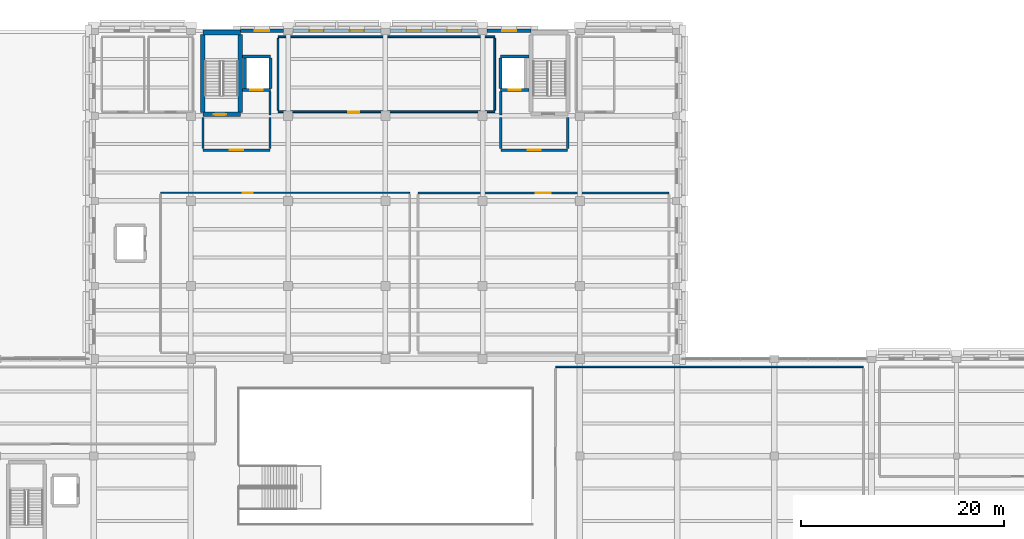
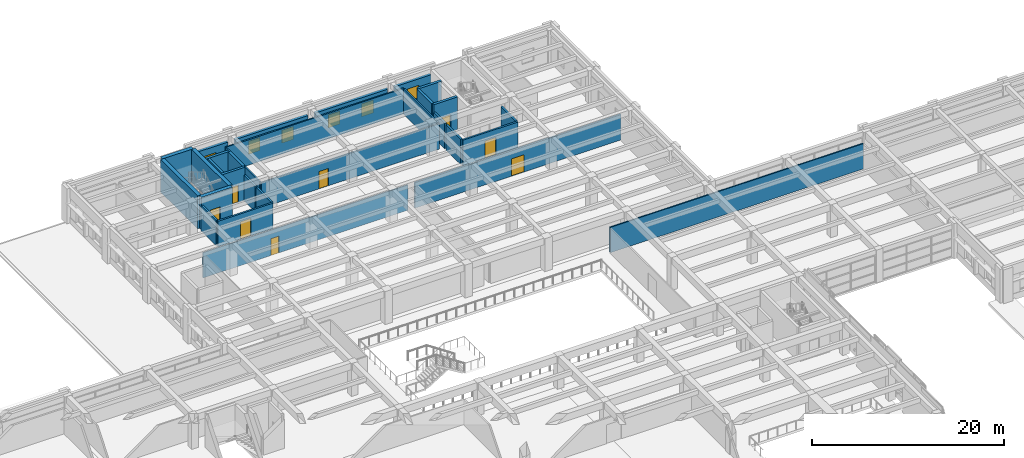
# One storey, part 34 of 49: 30 walls, 8 doors, 6 windows, 14 openings.
"""IFC4 building model written with IfcOpenShell, lengths in metres."""

from ifc_helpers import new_model, si_unit, direction, frame, frame_2d, origin, place, context, subcontext, project, spatial, rectangle, extrude, material, layer, layer_set, type_object, element, fill, save


model = new_model("IFC4")

# Units and contexts
model_context = context("Model", 3, precision=1e-05, world=origin(), true_north=direction((0.0, 1.0)))
body_context = subcontext(model_context, "Body", "Model", "MODEL_VIEW")
ifc_project = project(units=[si_unit("LENGTHUNIT", "METRE"), si_unit("AREAUNIT", "SQUARE_METRE"), si_unit("VOLUMEUNIT", "CUBIC_METRE"), si_unit("PLANEANGLEUNIT", "RADIAN"), si_unit("MASSUNIT", "GRAM", prefix="KILO")], contexts=[model_context])

# Site, building, storey
site_placement = place(None, origin())
site = spatial("IfcSite", under=ifc_project, at=site_placement, CompositionType="ELEMENT")
building_placement = place(site_placement, origin())
building = spatial("IfcBuilding", under=site, at=building_placement, Name="Bempovik Park Faculty of Sciences", CompositionType="ELEMENT")
storey_placement = place(building_placement, frame((0.0, 0.0, 5.39990234375)))
storey = spatial("IfcBuildingStorey", under=building, at=storey_placement, Name="L01", CompositionType="ELEMENT", Elevation=5.39990234375)

# Wall, opening, door
ifc_material_1 = material(Name="Concrete C40/50", Category="concrete")
ifc_layer_1 = layer(ifc_material_1, 0.449951171875)
ifc_layer_set_1 = layer_set([ifc_layer_1], Name="Concrete C40/50")
wall_type_1 = type_object("IfcWallType", Name="W-15 Wall 450mm", PredefinedType="SHEAR", material=ifc_layer_set_1)
wall_1_placement = place(storey_placement, frame((70.77490234375, 111.14990234375, 0.0), z_axis=(0.0, 0.0, 1.0), x_axis=(1.0, 0.0, 0.0)))
wall_1 = element("IfcWall", 1, at=wall_1_placement, inside=storey, type_object=wall_type_1, Name="ST-1 L01 Core Shear Wall South", PredefinedType="SHEAR", context=body_context, shape_type="SweptSolid", body=[
    extrude(rectangle(XDim=3.7001953125, YDim=0.449951171875, at=frame_2d((1.85009765625, 0.0))), origin(), (0.0, 0.0, 1.0), 4.18017578125),
])
opening_1_placement = place(wall_1_placement, frame((1.10009765625, 0.0, 0.0)))
opening_1 = element("IfcOpeningElement", 2, at=opening_1_placement, cuts=wall_1, Name="Opening D-49", PredefinedType="OPENING", context=body_context, shape_type="SweptSolid", body=[
    extrude(rectangle(XDim=1.199951171875, YDim=2.199951171875, at=frame_2d((0.60009765625, 1.10009765625))), frame((0.0, 0.23486328125, 0.0), z_axis=(0.0, -1.0, 0.0), x_axis=(1.0, 0.0, 0.0)), (0.0, 0.0, 1.0), 0.469970703125),
])
ifc_material_2 = material(Name="Painted steel S355", Category="steel")
door_type_1 = type_object("IfcDoorType", Name="D-49 Door 1200x2200", OperationType="NOTDEFINED", PredefinedType="DOOR", material=ifc_material_2)
door_1_placement = place(opening_1_placement, origin())
door_1 = element("IfcDoor", 3, at=door_1_placement, inside=storey, type_object=door_type_1, Name="ST-1 L01 Protected Stair Smoke Door", OperationType="SINGLE_SWING_LEFT", OverallHeight=2.199951171875, OverallWidth=1.199951171875, PredefinedType="DOOR", context=body_context, shape_type="SweptSolid", body=[
    extrude(rectangle(XDim=1.199951171875, YDim=2.199951171875, at=frame_2d((0.60009765625, 1.10009765625))), frame((0.0, 0.02490234375, 0.0), z_axis=(0.0, -1.0, 0.0), x_axis=(1.0, 0.0, 0.0)), (0.0, 0.0, 1.0), 0.050048828125),
])
fill(opening_1, door_1)

# Walls
for number, where, z_axis, x_axis, name in (
    (4, (70.77490234375, 111.35009765625, 0.0), (0.0, 0.0, 1.0), (0.0, 1.0, 0.0), "ST-1 L01 Core Shear Wall West"),
    (5, (74.47509765625, 111.35009765625, 0.0), (0.0, 0.0, 1.0), (0.0, 1.0, 0.0), "ST-1 L01 Core Shear Wall East"),
):
    element("IfcWall", number, at=place(storey_placement, frame(where, z_axis=z_axis, x_axis=x_axis)), inside=storey, type_object=wall_type_1, Name=name, PredefinedType="SHEAR", context=body_context, shape_type="SweptSolid", body=[
        extrude(rectangle(XDim=7.6748046875, YDim=0.449951171875, at=frame_2d((3.83740234375, 0.0))), origin(), (0.0, 0.0, 1.0), 4.18017578125),
    ])
wall_2_placement = place(storey_placement, frame((70.77490234375, 119.22509765625, 0.0), z_axis=(0.0, 0.0, 1.0), x_axis=(1.0, 0.0, 0.0)))
element("IfcWall", 6, at=wall_2_placement, inside=storey, type_object=wall_type_1, Name="ST-1 L01 Core Shear Wall North", PredefinedType="SHEAR", context=body_context, shape_type="SweptSolid", body=[
    extrude(rectangle(XDim=3.7001953125, YDim=0.449951171875, at=frame_2d((1.85009765625, 0.0))), origin(), (0.0, 0.0, 1.0), 4.18017578125),
])

# Wall, opening, door
ifc_material_3 = material(Name="Gypsum acoustic stud assembly")
ifc_layer_2 = layer(ifc_material_3, 0.1201171875)
ifc_layer_set_2 = layer_set([ifc_layer_2], Name="Gypsum acoustic stud assembly")
wall_type_2 = type_object("IfcWallType", Name="W-17 Wall 120mm", PredefinedType="PARTITIONING", material=ifc_layer_set_2)
wall_3_placement = place(storey_placement, frame((66.60009765625, 103.39990234375, 0.0), z_axis=(0.0, 0.0, 1.0), x_axis=(1.0, 0.0, 0.0)))
wall_3 = element("IfcWall", 7, at=wall_3_placement, inside=storey, type_object=wall_type_2, Name="L01 Chemistry Academic Staff Offices Partition North", PredefinedType="PARTITIONING", context=body_context, shape_type="SweptSolid", body=[
    extrude(rectangle(XDim=24.599853515625, YDim=0.1201171875, at=frame_2d((12.2998046875, 0.0))), origin(), (0.0, 0.0, 1.0), 3.22021484375),
])
opening_2_placement = place(wall_3_placement, frame((8.135009765625, 0.0, 0.0)))
opening_2 = element("IfcOpeningElement", 8, at=opening_2_placement, cuts=wall_3, Name="Opening D-47", PredefinedType="OPENING", context=body_context, shape_type="SweptSolid", body=[
    extrude(rectangle(XDim=0.949951171875, YDim=2.14990234375, at=frame_2d((0.47509765625, 1.074951171875))), frame((0.0, 0.070068359375, 0.0), z_axis=(0.0, -1.0, 0.0), x_axis=(1.0, 0.0, 0.0)), (0.0, 0.0, 1.0), 0.14013671875),
])
ifc_material_4 = material(Name="West African hardwood finish", Category="wood")
door_type_2 = type_object("IfcDoorType", Name="D-47 Door 950x2150", OperationType="NOTDEFINED", PredefinedType="DOOR", material=ifc_material_4)
door_2_placement = place(opening_2_placement, origin())
door_2 = element("IfcDoor", 9, at=door_2_placement, inside=storey, type_object=door_type_2, Name="L01 Chemistry Academic Staff Offices Door", OperationType="SINGLE_SWING_LEFT", OverallHeight=2.14990234375, OverallWidth=0.949951171875, PredefinedType="DOOR", context=body_context, shape_type="SweptSolid", body=[
    extrude(rectangle(XDim=0.949951171875, YDim=2.14990234375, at=frame_2d((0.47509765625, 1.074951171875))), frame((0.0, 0.02490234375, 0.0), z_axis=(0.0, -1.0, 0.0), x_axis=(1.0, 0.0, 0.0)), (0.0, 0.0, 1.0), 0.050048828125),
])
fill(opening_2, door_2)

ifc_layer_3 = layer(ifc_material_1, 0.300048828125)
ifc_layer_set_3 = layer_set([ifc_layer_3], Name="Concrete C40/50")
wall_type_3 = type_object("IfcWallType", Name="W-31 Wall 300mm", PredefinedType="SHEAR", material=ifc_layer_set_3)
wall_4_placement = place(storey_placement, frame((74.699951171875, 113.550048828125, 0.0), z_axis=(0.0, 0.0, 1.0), x_axis=(1.0, 0.0, 0.0)))
wall_4 = element("IfcWall", 10, at=wall_4_placement, inside=storey, type_object=wall_type_3, Name="Lift LF-1 L01 Shaft Wall South", PredefinedType="SHEAR", context=body_context, shape_type="SweptSolid", body=[
    extrude(rectangle(XDim=2.75, YDim=0.300048828125, at=frame_2d((1.375, 0.0))), origin(), (0.0, 0.0, 1.0), 4.18017578125),
])
opening_3_placement = place(wall_4_placement, frame((0.77490234375, 0.0, 0.0)))
opening_3 = element("IfcOpeningElement", 11, at=opening_3_placement, cuts=wall_4, Name="Opening LD-01", PredefinedType="OPENING", context=body_context, shape_type="SweptSolid", body=[
    extrude(rectangle(XDim=1.199951171875, YDim=2.199951171875, at=frame_2d((0.60009765625, 1.10009765625))), frame((0.0, 0.16015625, 0.0), z_axis=(0.0, -1.0, 0.0), x_axis=(1.0, 0.0, 0.0)), (0.0, 0.0, 1.0), 0.320068359375),
])
door_type_3 = type_object("IfcDoorType", Name="LD-01 Door 1200x2200", OperationType="NOTDEFINED", PredefinedType="DOOR", material=ifc_material_2)
door_3_placement = place(opening_3_placement, origin())
door_3 = element("IfcDoor", 12, at=door_3_placement, inside=storey, type_object=door_type_3, Name="Lift LF-1 L01 Sliding Landing Door", OperationType="SLIDING_TO_LEFT", OverallHeight=2.199951171875, OverallWidth=1.199951171875, PredefinedType="DOOR", context=body_context, shape_type="SweptSolid", body=[
    extrude(rectangle(XDim=1.199951171875, YDim=2.199951171875, at=frame_2d((0.60009765625, 1.10009765625))), frame((0.0, 0.02490234375, 0.0), z_axis=(0.0, -1.0, 0.0), x_axis=(1.0, 0.0, 0.0)), (0.0, 0.0, 1.0), 0.050048828125),
])
fill(opening_3, door_3)

# Walls
wall_5_placement = place(storey_placement, frame((74.699951171875, 116.85009765625, 0.0), z_axis=(0.0, 0.0, 1.0), x_axis=(1.0, 0.0, 0.0)))
element("IfcWall", 13, at=wall_5_placement, inside=storey, type_object=wall_type_3, Name="Lift LF-1 L01 Shaft Wall North", PredefinedType="SHEAR", context=body_context, shape_type="SweptSolid", body=[
    extrude(rectangle(XDim=2.75, YDim=0.300048828125, at=frame_2d((1.375, 0.0))), origin(), (0.0, 0.0, 1.0), 4.18017578125),
])
for number, where, z_axis, x_axis, name in (
    (14, (74.949951171875, 113.699951171875, 0.0), (0.0, 0.0, 1.0), (0.0, 1.0, 0.0), "Lift LF-1 L01 Shaft Wall West"),
    (15, (77.449951171875, 113.699951171875, 0.0), (0.0, 0.0, 1.0), (0.0, 1.0, 0.0), "Lift LF-1 L01 Shaft Wall East"),
):
    element("IfcWall", number, at=place(storey_placement, frame(where, z_axis=z_axis, x_axis=x_axis)), inside=storey, type_object=wall_type_3, Name=name, PredefinedType="SHEAR", context=body_context, shape_type="SweptSolid", body=[
        extrude(rectangle(XDim=3.0, YDim=0.300048828125, at=frame_2d((1.5, 0.0))), origin(), (0.0, 0.0, 1.0), 4.18017578125),
    ])

# Wall, opening, door
wall_6_placement = place(storey_placement, frame((100.14990234375, 113.550048828125, 0.0), z_axis=(0.0, 0.0, 1.0), x_axis=(1.0, 0.0, 0.0)))
wall_6 = element("IfcWall", 16, at=wall_6_placement, inside=storey, type_object=wall_type_3, Name="Lift LF-2 L01 Shaft Wall South", PredefinedType="SHEAR", context=body_context, shape_type="SweptSolid", body=[
    extrude(rectangle(XDim=2.8251953125, YDim=0.300048828125, at=frame_2d((1.41259765625, 0.0))), origin(), (0.0, 0.0, 1.0), 4.18017578125),
])
opening_4_placement = place(wall_6_placement, frame((0.8125, 0.0, 0.0)))
opening_4 = element("IfcOpeningElement", 17, at=opening_4_placement, cuts=wall_6, Name="Opening LD-01", PredefinedType="OPENING", context=body_context, shape_type="SweptSolid", body=[
    extrude(rectangle(XDim=1.199951171875, YDim=2.199951171875, at=frame_2d((0.60009765625, 1.10009765625))), frame((0.0, 0.16015625, 0.0), z_axis=(0.0, -1.0, 0.0), x_axis=(1.0, 0.0, 0.0)), (0.0, 0.0, 1.0), 0.320068359375),
])
door_4_placement = place(opening_4_placement, origin())
door_4 = element("IfcDoor", 18, at=door_4_placement, inside=storey, type_object=door_type_3, Name="Lift LF-2 L01 Sliding Landing Door", OperationType="SLIDING_TO_LEFT", OverallHeight=2.199951171875, OverallWidth=1.199951171875, PredefinedType="DOOR", context=body_context, shape_type="SweptSolid", body=[
    extrude(rectangle(XDim=1.199951171875, YDim=2.199951171875, at=frame_2d((0.60009765625, 1.10009765625))), frame((0.0, 0.02490234375, 0.0), z_axis=(0.0, -1.0, 0.0), x_axis=(1.0, 0.0, 0.0)), (0.0, 0.0, 1.0), 0.050048828125),
])
fill(opening_4, door_4)

# Walls
wall_7_placement = place(storey_placement, frame((100.14990234375, 116.85009765625, 0.0), z_axis=(0.0, 0.0, 1.0), x_axis=(1.0, 0.0, 0.0)))
element("IfcWall", 19, at=wall_7_placement, inside=storey, type_object=wall_type_3, Name="Lift LF-2 L01 Shaft Wall North", PredefinedType="SHEAR", context=body_context, shape_type="SweptSolid", body=[
    extrude(rectangle(XDim=2.8251953125, YDim=0.300048828125, at=frame_2d((1.41259765625, 0.0))), origin(), (0.0, 0.0, 1.0), 4.18017578125),
])
wall_8_placement = place(storey_placement, frame((100.14990234375, 113.699951171875, 0.0), z_axis=(0.0, 0.0, 1.0), x_axis=(0.0, 1.0, 0.0)))
element("IfcWall", 20, at=wall_8_placement, inside=storey, type_object=wall_type_3, Name="Lift LF-2 L01 Shaft Wall West", PredefinedType="SHEAR", context=body_context, shape_type="SweptSolid", body=[
    extrude(rectangle(XDim=3.0, YDim=0.300048828125, at=frame_2d((1.5, 0.0))), origin(), (0.0, 0.0, 1.0), 4.18017578125),
])

# Wall, opening, door
ifc_material_5 = material(Name="Concrete C35/45", Category="concrete")
ifc_layer_4 = layer(ifc_material_5, 0.219970703125)
ifc_layer_set_4 = layer_set([ifc_layer_4], Name="Concrete C35/45")
wall_type_4 = type_object("IfcWallType", Name="W-38 Wall 220mm", PredefinedType="PARTITIONING", material=ifc_layer_set_4)
wall_9_placement = place(storey_placement, frame((70.800048828125, 107.60009765625, 0.0), z_axis=(0.0, 0.0, 1.0), x_axis=(1.0, 0.0, 0.0)))
wall_9 = element("IfcWall", 21, at=wall_9_placement, inside=storey, type_object=wall_type_4, Name="L01 Firefighting Lift Lobby West Partition South", PredefinedType="PARTITIONING", context=body_context, shape_type="SweptSolid", body=[
    extrude(rectangle(XDim=6.599853515625, YDim=0.219970703125, at=frame_2d((3.2998046875, 0.0))), origin(), (0.0, 0.0, 1.0), 3.22021484375),
])
opening_5_placement = place(wall_9_placement, frame((2.64990234375, 0.0, 0.0)))
opening_5 = element("IfcOpeningElement", 22, at=opening_5_placement, cuts=wall_9, Name="Opening D-38", PredefinedType="OPENING", context=body_context, shape_type="SweptSolid", body=[
    extrude(rectangle(XDim=1.300048828125, YDim=2.199951171875, at=frame_2d((0.64990234375, 1.10009765625))), frame((0.0, 0.1201171875, 0.0), z_axis=(0.0, -1.0, 0.0), x_axis=(1.0, 0.0, 0.0)), (0.0, 0.0, 1.0), 0.239990234375),
])
door_type_4 = type_object("IfcDoorType", Name="D-38 Door 1300x2200", OperationType="NOTDEFINED", PredefinedType="DOOR", material=ifc_material_2)
door_5_placement = place(opening_5_placement, origin())
door_5 = element("IfcDoor", 23, at=door_5_placement, inside=storey, type_object=door_type_4, Name="L01 Firefighting Lift Lobby West Door", OperationType="SINGLE_SWING_RIGHT", OverallHeight=2.199951171875, OverallWidth=1.300048828125, PredefinedType="DOOR", context=body_context, shape_type="SweptSolid", body=[
    extrude(rectangle(XDim=1.300048828125, YDim=2.199951171875, at=frame_2d((0.64990234375, 1.10009765625))), frame((0.0, 0.02490234375, 0.0), z_axis=(0.0, -1.0, 0.0), x_axis=(1.0, 0.0, 0.0)), (0.0, 0.0, 1.0), 0.050048828125),
])
fill(opening_5, door_5)

# Walls
wall_10_placement = place(storey_placement, frame((77.39990234375, 111.080078125, 0.0), z_axis=(0.0, 0.0, 1.0), x_axis=(0.0, 1.0, 0.0)))
element("IfcWall", 24, at=wall_10_placement, inside=storey, type_object=wall_type_4, Name="L01 Firefighting Lobby West Lift Link Wall", PredefinedType="PARTITIONING", context=body_context, shape_type="SweptSolid", body=[
    extrude(rectangle(XDim=2.31982421875, YDim=0.219970703125, at=frame_2d((1.159912109375, 0.0))), origin(), (0.0, 0.0, 1.0), 3.22021484375),
])
for number, where, z_axis, x_axis, name in (
    (25, (70.800048828125, 107.760009765625, 0.0), (0.0, 0.0, 1.0), (0.0, 1.0, 0.0), "L01 Firefighting Lift Lobby West Partition West"),
    (26, (77.39990234375, 107.760009765625, 0.0), (0.0, 0.0, 1.0), (0.0, 1.0, 0.0), "L01 Firefighting Lift Lobby West Partition East"),
):
    element("IfcWall", number, at=place(storey_placement, frame(where, z_axis=z_axis, x_axis=x_axis)), inside=storey, type_object=wall_type_4, Name=name, PredefinedType="PARTITIONING", context=body_context, shape_type="SweptSolid", body=[
        extrude(rectangle(XDim=3.080078125, YDim=0.219970703125, at=frame_2d((1.5400390625, 0.0))), origin(), (0.0, 0.0, 1.0), 3.22021484375),
    ])

# Wall, opening, door
wall_11_placement = place(storey_placement, frame((100.199951171875, 107.60009765625, 0.0), z_axis=(0.0, 0.0, 1.0), x_axis=(1.0, 0.0, 0.0)))
wall_11 = element("IfcWall", 27, at=wall_11_placement, inside=storey, type_object=wall_type_4, Name="L01 Firefighting Lift Lobby East Partition South", PredefinedType="PARTITIONING", context=body_context, shape_type="SweptSolid", body=[
    extrude(rectangle(XDim=6.60009765625, YDim=0.219970703125, at=frame_2d((3.300048828125, 0.0))), origin(), (0.0, 0.0, 1.0), 3.22021484375),
])
opening_6_placement = place(wall_11_placement, frame((2.64990234375, 0.0, 0.0)))
opening_6 = element("IfcOpeningElement", 28, at=opening_6_placement, cuts=wall_11, Name="Opening D-38", PredefinedType="OPENING", context=body_context, shape_type="SweptSolid", body=[
    extrude(rectangle(XDim=1.300048828125, YDim=2.199951171875, at=frame_2d((0.64990234375, 1.10009765625))), frame((0.0, 0.1201171875, 0.0), z_axis=(0.0, -1.0, 0.0), x_axis=(1.0, 0.0, 0.0)), (0.0, 0.0, 1.0), 0.239990234375),
])
door_6_placement = place(opening_6_placement, origin())
door_6 = element("IfcDoor", 29, at=door_6_placement, inside=storey, type_object=door_type_4, Name="L01 Firefighting Lift Lobby East Door", OperationType="SINGLE_SWING_LEFT", OverallHeight=2.199951171875, OverallWidth=1.300048828125, PredefinedType="DOOR", context=body_context, shape_type="SweptSolid", body=[
    extrude(rectangle(XDim=1.300048828125, YDim=2.199951171875, at=frame_2d((0.64990234375, 1.10009765625))), frame((0.0, 0.02490234375, 0.0), z_axis=(0.0, -1.0, 0.0), x_axis=(1.0, 0.0, 0.0)), (0.0, 0.0, 1.0), 0.050048828125),
])
fill(opening_6, door_6)

# Walls
wall_12_placement = place(storey_placement, frame((100.199951171875, 111.080078125, 0.0), z_axis=(0.0, 0.0, 1.0), x_axis=(0.0, 1.0, 0.0)))
element("IfcWall", 30, at=wall_12_placement, inside=storey, type_object=wall_type_4, Name="L01 Firefighting Lobby East Lift Link Wall", PredefinedType="PARTITIONING", context=body_context, shape_type="SweptSolid", body=[
    extrude(rectangle(XDim=2.31982421875, YDim=0.219970703125, at=frame_2d((1.159912109375, 0.0))), origin(), (0.0, 0.0, 1.0), 3.22021484375),
])
for number, where, z_axis, x_axis, name in (
    (31, (100.199951171875, 107.760009765625, 0.0), (0.0, 0.0, 1.0), (0.0, 1.0, 0.0), "L01 Firefighting Lift Lobby East Partition West"),
    (32, (106.800048828125, 107.760009765625, 0.0), (0.0, 0.0, 1.0), (0.0, 1.0, 0.0), "L01 Firefighting Lift Lobby East Partition East"),
):
    element("IfcWall", number, at=place(storey_placement, frame(where, z_axis=z_axis, x_axis=x_axis)), inside=storey, type_object=wall_type_4, Name=name, PredefinedType="PARTITIONING", context=body_context, shape_type="SweptSolid", body=[
        extrude(rectangle(XDim=3.080078125, YDim=0.219970703125, at=frame_2d((1.5400390625, 0.0))), origin(), (0.0, 0.0, 1.0), 3.22021484375),
    ])
ifc_layer_5 = layer(ifc_material_3, 0.14990234375)
ifc_layer_set_5 = layer_set([ifc_layer_5], Name="Gypsum acoustic stud assembly")
wall_type_5 = type_object("IfcWallType", Name="W-42 Wall 150mm", PredefinedType="PARTITIONING", material=ifc_layer_set_5)
wall_13_placement = place(storey_placement, frame((105.60009765625, 86.199951171875, 0.0), z_axis=(0.0, 0.0, 1.0), x_axis=(1.0, 0.0, 0.0)))
element("IfcWall", 33, at=wall_13_placement, inside=storey, type_object=wall_type_5, Name="L01 Atrium Concourse Study Gallery East Partition North", PredefinedType="PARTITIONING", context=body_context, shape_type="SweptSolid", body=[
    extrude(rectangle(XDim=30.39990234375, YDim=0.14990234375, at=frame_2d((15.199951171875, 0.0))), origin(), (0.0, 0.0, 1.0), 3.22021484375),
])

# Wall, opening, door
ifc_layer_6 = layer(ifc_material_5, 0.169921875)
ifc_layer_set_6 = layer_set([ifc_layer_6], Name="Concrete C35/45")
wall_type_6 = type_object("IfcWallType", Name="W-50 Wall 170mm", PredefinedType="PARTITIONING", material=ifc_layer_set_6)
wall_14_placement = place(storey_placement, frame((78.199951171875, 111.39990234375, 0.0), z_axis=(0.0, 0.0, 1.0), x_axis=(1.0, 0.0, 0.0)))
wall_14 = element("IfcWall", 34, at=wall_14_placement, inside=storey, type_object=wall_type_6, Name="L01 Chemical Reagent Preparation Room Partition South", PredefinedType="PARTITIONING", context=body_context, shape_type="SweptSolid", body=[
    extrude(rectangle(XDim=21.400146484375, YDim=0.169921875, at=frame_2d((10.7001953125, 0.0))), origin(), (0.0, 0.0, 1.0), 3.22021484375),
])
opening_7_placement = place(wall_14_placement, frame((6.93994140625, 0.0, 0.0)))
opening_7 = element("IfcOpeningElement", 35, at=opening_7_placement, cuts=wall_14, Name="Opening D-65", PredefinedType="OPENING", context=body_context, shape_type="SweptSolid", body=[
    extrude(rectangle(XDim=1.10009765625, YDim=2.199951171875, at=frame_2d((0.550048828125, 1.10009765625))), frame((0.0, 0.094970703125, 0.0), z_axis=(0.0, -1.0, 0.0), x_axis=(1.0, 0.0, 0.0)), (0.0, 0.0, 1.0), 0.18994140625),
])
door_type_5 = type_object("IfcDoorType", Name="D-65 Door 1100x2200", OperationType="NOTDEFINED", PredefinedType="DOOR", material=ifc_material_4)
door_7_placement = place(opening_7_placement, origin())
door_7 = element("IfcDoor", 36, at=door_7_placement, inside=storey, type_object=door_type_5, Name="L01 Chemical Reagent Preparation Room Door", OperationType="SINGLE_SWING_LEFT", OverallHeight=2.199951171875, OverallWidth=1.10009765625, PredefinedType="DOOR", context=body_context, shape_type="SweptSolid", body=[
    extrude(rectangle(XDim=1.10009765625, YDim=2.199951171875, at=frame_2d((0.550048828125, 1.10009765625))), frame((0.0, 0.02490234375, 0.0), z_axis=(0.0, -1.0, 0.0), x_axis=(1.0, 0.0, 0.0)), (0.0, 0.0, 1.0), 0.050048828125),
])
fill(opening_7, door_7)

# Walls
wall_15_placement = place(storey_placement, frame((78.199951171875, 118.800048828125, 0.0), z_axis=(0.0, 0.0, 1.0), x_axis=(1.0, 0.0, 0.0)))
element("IfcWall", 37, at=wall_15_placement, inside=storey, type_object=wall_type_6, Name="L01 Chemical Reagent Preparation Room Partition North", PredefinedType="PARTITIONING", context=body_context, shape_type="SweptSolid", body=[
    extrude(rectangle(XDim=21.400146484375, YDim=0.169921875, at=frame_2d((10.7001953125, 0.0))), origin(), (0.0, 0.0, 1.0), 3.22021484375),
])
for number, where, z_axis, x_axis, name in (
    (38, (78.199951171875, 111.56005859375, 0.0), (0.0, 0.0, 1.0), (0.0, 1.0, 0.0), "L01 Chemical Reagent Preparation Room Partition West"),
    (39, (99.60009765625, 111.56005859375, 0.0), (0.0, 0.0, 1.0), (0.0, 1.0, 0.0), "L01 Chemical Reagent Preparation Room Partition East"),
):
    element("IfcWall", number, at=place(storey_placement, frame(where, z_axis=z_axis, x_axis=x_axis)), inside=storey, type_object=wall_type_6, Name=name, PredefinedType="PARTITIONING", context=body_context, shape_type="SweptSolid", body=[
        extrude(rectangle(XDim=7.079833984375, YDim=0.169921875, at=frame_2d((3.5400390625, 0.0))), origin(), (0.0, 0.0, 1.0), 3.22021484375),
    ])

# Wall, opening, window
ifc_material_6 = material(Name="Precast concrete C40/50", Category="concrete")
ifc_layer_7 = layer(ifc_material_6, 0.320068359375)
ifc_layer_set_7 = layer_set([ifc_layer_7], Name="Precast concrete C40/50")
wall_type_7 = type_object("IfcWallType", Name="W-56 Wall 320mm", PredefinedType="SOLIDWALL", material=ifc_layer_set_7)
wall_16_placement = place(storey_placement, frame((74.47607421875, 119.39990234375, 0.0), z_axis=(0.0, 0.0, 1.0), x_axis=(1.0, 0.0, 0.0)))
wall_16 = element("IfcWall", 40, at=wall_16_placement, inside=storey, type_object=wall_type_7, Name="L01 Classical Precast Facade Wall EW-L01-6679", PredefinedType="SOLIDWALL", context=body_context, shape_type="SweptSolid", body=[
    extrude(rectangle(XDim=4.27197265625, YDim=0.320068359375, at=frame_2d((2.135986328125, 0.0))), origin(), (0.0, 0.0, 1.0), 3.380126953125),
])
opening_8_placement = place(wall_16_placement, frame((1.43603515625, 0.0, 0.89990234375)))
opening_8 = element("IfcOpeningElement", 41, at=opening_8_placement, cuts=wall_16, Name="Opening WN-84", PredefinedType="OPENING", context=body_context, shape_type="SweptSolid", body=[
    extrude(rectangle(XDim=1.39990234375, YDim=1.64990234375, at=frame_2d((0.699951171875, 0.824951171875))), frame((0.0, 0.169921875, 0.0), z_axis=(0.0, -1.0, 0.0), x_axis=(1.0, 0.0, 0.0)), (0.0, 0.0, 1.0), 0.340087890625),
])
ifc_material_7 = material(Name="Tempered laminated low-E glass", Category="glass")
window_type = type_object("IfcWindowType", Name="WN-84 Window 1400x1650", PartitioningType="SINGLE_PANEL", PredefinedType="WINDOW", material=ifc_material_7)
window_1_placement = place(opening_8_placement, origin())
window_1 = element("IfcWindow", 42, at=window_1_placement, inside=storey, type_object=window_type, Name="L01 Stairwell Classical Lancet Window EW-L01-6679", OverallHeight=1.64990234375, OverallWidth=1.39990234375, PartitioningType="SINGLE_PANEL", PredefinedType="WINDOW", context=body_context, shape_type="SweptSolid", body=[
    extrude(rectangle(XDim=1.39990234375, YDim=1.64990234375, at=frame_2d((0.699951171875, 0.824951171875))), frame((0.0, 0.030029296875, 0.0), z_axis=(0.0, -1.0, 0.0), x_axis=(1.0, 0.0, 0.0)), (0.0, 0.0, 1.0), 0.06005859375),
])
fill(opening_8, window_1)

# Wall, openings, windows
wall_17_placement = place(storey_placement, frame((79.652099609375, 119.39990234375, 0.0), z_axis=(0.0, 0.0, 1.0), x_axis=(1.0, 0.0, 0.0)))
wall_17 = element("IfcWall", 43, at=wall_17_placement, inside=storey, type_object=wall_type_7, Name="L01 Classical Precast Facade Wall EW-L01-6685", PredefinedType="SOLIDWALL", context=body_context, shape_type="SweptSolid", body=[
    extrude(rectangle(XDim=8.69580078125, YDim=0.320068359375, at=frame_2d((4.347900390625, 0.0))), origin(), (0.0, 0.0, 1.0), 3.380126953125),
])
opening_9_placement = place(wall_17_placement, frame((1.64794921875, 0.0, 0.85009765625)))
opening_9 = element("IfcOpeningElement", 44, at=opening_9_placement, cuts=wall_17, Name="Opening WN-84", PredefinedType="OPENING", context=body_context, shape_type="SweptSolid", body=[
    extrude(rectangle(XDim=1.39990234375, YDim=1.64990234375, at=frame_2d((0.699951171875, 0.824951171875))), frame((0.0, 0.169921875, 0.0), z_axis=(0.0, -1.0, 0.0), x_axis=(1.0, 0.0, 0.0)), (0.0, 0.0, 1.0), 0.340087890625),
])
opening_10_placement = place(wall_17_placement, frame((5.648193359375, 0.0, 0.85009765625)))
opening_10 = element("IfcOpeningElement", 45, at=opening_10_placement, cuts=wall_17, Name="Opening WN-84", PredefinedType="OPENING", context=body_context, shape_type="SweptSolid", body=[
    extrude(rectangle(XDim=1.39990234375, YDim=1.64990234375, at=frame_2d((0.699951171875, 0.824951171875))), frame((0.0, 0.169921875, 0.0), z_axis=(0.0, -1.0, 0.0), x_axis=(1.0, 0.0, 0.0)), (0.0, 0.0, 1.0), 0.340087890625),
])
window_2_placement = place(opening_9_placement, origin())
window_2 = element("IfcWindow", 46, at=window_2_placement, inside=storey, type_object=window_type, Name="L01 Window EW-L01-6685-1", OverallHeight=1.64990234375, OverallWidth=1.39990234375, PartitioningType="SINGLE_PANEL", PredefinedType="WINDOW", context=body_context, shape_type="SweptSolid", body=[
    extrude(rectangle(XDim=1.39990234375, YDim=1.64990234375, at=frame_2d((0.699951171875, 0.824951171875))), frame((0.0, 0.030029296875, 0.0), z_axis=(0.0, -1.0, 0.0), x_axis=(1.0, 0.0, 0.0)), (0.0, 0.0, 1.0), 0.06005859375),
])
fill(opening_9, window_2)
window_3_placement = place(opening_10_placement, origin())
window_3 = element("IfcWindow", 47, at=window_3_placement, inside=storey, type_object=window_type, Name="L01 Window EW-L01-6685-2", OverallHeight=1.64990234375, OverallWidth=1.39990234375, PartitioningType="SINGLE_PANEL", PredefinedType="WINDOW", context=body_context, shape_type="SweptSolid", body=[
    extrude(rectangle(XDim=1.39990234375, YDim=1.64990234375, at=frame_2d((0.699951171875, 0.824951171875))), frame((0.0, 0.030029296875, 0.0), z_axis=(0.0, -1.0, 0.0), x_axis=(1.0, 0.0, 0.0)), (0.0, 0.0, 1.0), 0.06005859375),
])
fill(opening_10, window_3)

wall_18_placement = place(storey_placement, frame((89.251953125, 119.39990234375, 0.0), z_axis=(0.0, 0.0, 1.0), x_axis=(1.0, 0.0, 0.0)))
wall_18 = element("IfcWall", 48, at=wall_18_placement, inside=storey, type_object=wall_type_7, Name="L01 Classical Precast Facade Wall EW-L01-6697", PredefinedType="SOLIDWALL", context=body_context, shape_type="SweptSolid", body=[
    extrude(rectangle(XDim=8.696044921875, YDim=0.320068359375, at=frame_2d((4.34814453125, 0.0))), origin(), (0.0, 0.0, 1.0), 3.380126953125),
])
opening_11_placement = place(wall_18_placement, frame((1.64794921875, 0.0, 0.85009765625)))
opening_11 = element("IfcOpeningElement", 49, at=opening_11_placement, cuts=wall_18, Name="Opening WN-84", PredefinedType="OPENING", context=body_context, shape_type="SweptSolid", body=[
    extrude(rectangle(XDim=1.39990234375, YDim=1.64990234375, at=frame_2d((0.699951171875, 0.824951171875))), frame((0.0, 0.169921875, 0.0), z_axis=(0.0, -1.0, 0.0), x_axis=(1.0, 0.0, 0.0)), (0.0, 0.0, 1.0), 0.340087890625),
])
opening_12_placement = place(wall_18_placement, frame((5.648193359375, 0.0, 0.85009765625)))
opening_12 = element("IfcOpeningElement", 50, at=opening_12_placement, cuts=wall_18, Name="Opening WN-84", PredefinedType="OPENING", context=body_context, shape_type="SweptSolid", body=[
    extrude(rectangle(XDim=1.39990234375, YDim=1.64990234375, at=frame_2d((0.699951171875, 0.824951171875))), frame((0.0, 0.169921875, 0.0), z_axis=(0.0, -1.0, 0.0), x_axis=(1.0, 0.0, 0.0)), (0.0, 0.0, 1.0), 0.340087890625),
])
window_4_placement = place(opening_11_placement, origin())
window_4 = element("IfcWindow", 51, at=window_4_placement, inside=storey, type_object=window_type, Name="L01 Window EW-L01-6697-1", OverallHeight=1.64990234375, OverallWidth=1.39990234375, PartitioningType="SINGLE_PANEL", PredefinedType="WINDOW", context=body_context, shape_type="SweptSolid", body=[
    extrude(rectangle(XDim=1.39990234375, YDim=1.64990234375, at=frame_2d((0.699951171875, 0.824951171875))), frame((0.0, 0.030029296875, 0.0), z_axis=(0.0, -1.0, 0.0), x_axis=(1.0, 0.0, 0.0)), (0.0, 0.0, 1.0), 0.06005859375),
])
fill(opening_11, window_4)
window_5_placement = place(opening_12_placement, origin())
window_5 = element("IfcWindow", 52, at=window_5_placement, inside=storey, type_object=window_type, Name="L01 Window EW-L01-6697-2", OverallHeight=1.64990234375, OverallWidth=1.39990234375, PartitioningType="SINGLE_PANEL", PredefinedType="WINDOW", context=body_context, shape_type="SweptSolid", body=[
    extrude(rectangle(XDim=1.39990234375, YDim=1.64990234375, at=frame_2d((0.699951171875, 0.824951171875))), frame((0.0, 0.030029296875, 0.0), z_axis=(0.0, -1.0, 0.0), x_axis=(1.0, 0.0, 0.0)), (0.0, 0.0, 1.0), 0.06005859375),
])
fill(opening_12, window_5)

# Wall, opening, window
wall_19_placement = place(storey_placement, frame((98.85205078125, 119.39990234375, 0.0), z_axis=(0.0, 0.0, 1.0), x_axis=(1.0, 0.0, 0.0)))
wall_19 = element("IfcWall", 53, at=wall_19_placement, inside=storey, type_object=wall_type_7, Name="L01 Classical Precast Facade Wall EW-L01-6709", PredefinedType="SOLIDWALL", context=body_context, shape_type="SweptSolid", body=[
    extrude(rectangle(XDim=4.322021484375, YDim=0.320068359375, at=frame_2d((2.1611328125, 0.0))), origin(), (0.0, 0.0, 1.0), 3.380126953125),
])
opening_13_placement = place(wall_19_placement, frame((1.4609375, 0.0, 0.89990234375)))
opening_13 = element("IfcOpeningElement", 54, at=opening_13_placement, cuts=wall_19, Name="Opening WN-84", PredefinedType="OPENING", context=body_context, shape_type="SweptSolid", body=[
    extrude(rectangle(XDim=1.39990234375, YDim=1.64990234375, at=frame_2d((0.699951171875, 0.824951171875))), frame((0.0, 0.169921875, 0.0), z_axis=(0.0, -1.0, 0.0), x_axis=(1.0, 0.0, 0.0)), (0.0, 0.0, 1.0), 0.340087890625),
])
window_6_placement = place(opening_13_placement, origin())
window_6 = element("IfcWindow", 55, at=window_6_placement, inside=storey, type_object=window_type, Name="L01 Stairwell Classical Lancet Window EW-L01-6709", OverallHeight=1.64990234375, OverallWidth=1.39990234375, PartitioningType="SINGLE_PANEL", PredefinedType="WINDOW", context=body_context, shape_type="SweptSolid", body=[
    extrude(rectangle(XDim=1.39990234375, YDim=1.64990234375, at=frame_2d((0.699951171875, 0.824951171875))), frame((0.0, 0.030029296875, 0.0), z_axis=(0.0, -1.0, 0.0), x_axis=(1.0, 0.0, 0.0)), (0.0, 0.0, 1.0), 0.06005859375),
])
fill(opening_13, window_6)

# Wall, opening, door
ifc_layer_8 = layer(ifc_material_5, 0.199951171875)
ifc_layer_set_8 = layer_set([ifc_layer_8], Name="Concrete C35/45")
wall_type_8 = type_object("IfcWallType", Name="W-59 Wall 200mm", PredefinedType="PARTITIONING", material=ifc_layer_set_8)
wall_20_placement = place(storey_placement, frame((92.0, 103.39990234375, 0.0), z_axis=(0.0, 0.0, 1.0), x_axis=(1.0, 0.0, 0.0)))
wall_20 = element("IfcWall", 56, at=wall_20_placement, inside=storey, type_object=wall_type_8, Name="L01 Biochemistry Research Laboratory Partition North", PredefinedType="PARTITIONING", context=body_context, shape_type="SweptSolid", body=[
    extrude(rectangle(XDim=24.800048828125, YDim=0.199951171875, at=frame_2d((12.39990234375, 0.0))), origin(), (0.0, 0.0, 1.0), 3.22021484375),
])
opening_14_placement = place(wall_20_placement, frame((11.64990234375, 0.0, 0.0)))
opening_14 = element("IfcOpeningElement", 57, at=opening_14_placement, cuts=wall_20, Name="Opening D-22", PredefinedType="OPENING", context=body_context, shape_type="SweptSolid", body=[
    extrude(rectangle(XDim=1.5, YDim=2.199951171875, at=frame_2d((0.75, 1.10009765625))), frame((0.0, 0.10986328125, 0.0), z_axis=(0.0, -1.0, 0.0), x_axis=(1.0, 0.0, 0.0)), (0.0, 0.0, 1.0), 0.219970703125),
])
door_type_6 = type_object("IfcDoorType", Name="D-22 Door 1500x2200", OperationType="NOTDEFINED", PredefinedType="DOOR", material=ifc_material_4)
door_8_placement = place(opening_14_placement, origin())
door_8 = element("IfcDoor", 58, at=door_8_placement, inside=storey, type_object=door_type_6, Name="L01 Biochemistry Research Laboratory Door", OperationType="SINGLE_SWING_RIGHT", OverallHeight=2.199951171875, OverallWidth=1.5, PredefinedType="DOOR", context=body_context, shape_type="SweptSolid", body=[
    extrude(rectangle(XDim=1.5, YDim=2.199951171875, at=frame_2d((0.75, 1.10009765625))), frame((0.0, 0.02490234375, 0.0), z_axis=(0.0, -1.0, 0.0), x_axis=(1.0, 0.0, 0.0)), (0.0, 0.0, 1.0), 0.050048828125),
])
fill(opening_14, door_8)

save(model, "model.ifc")
